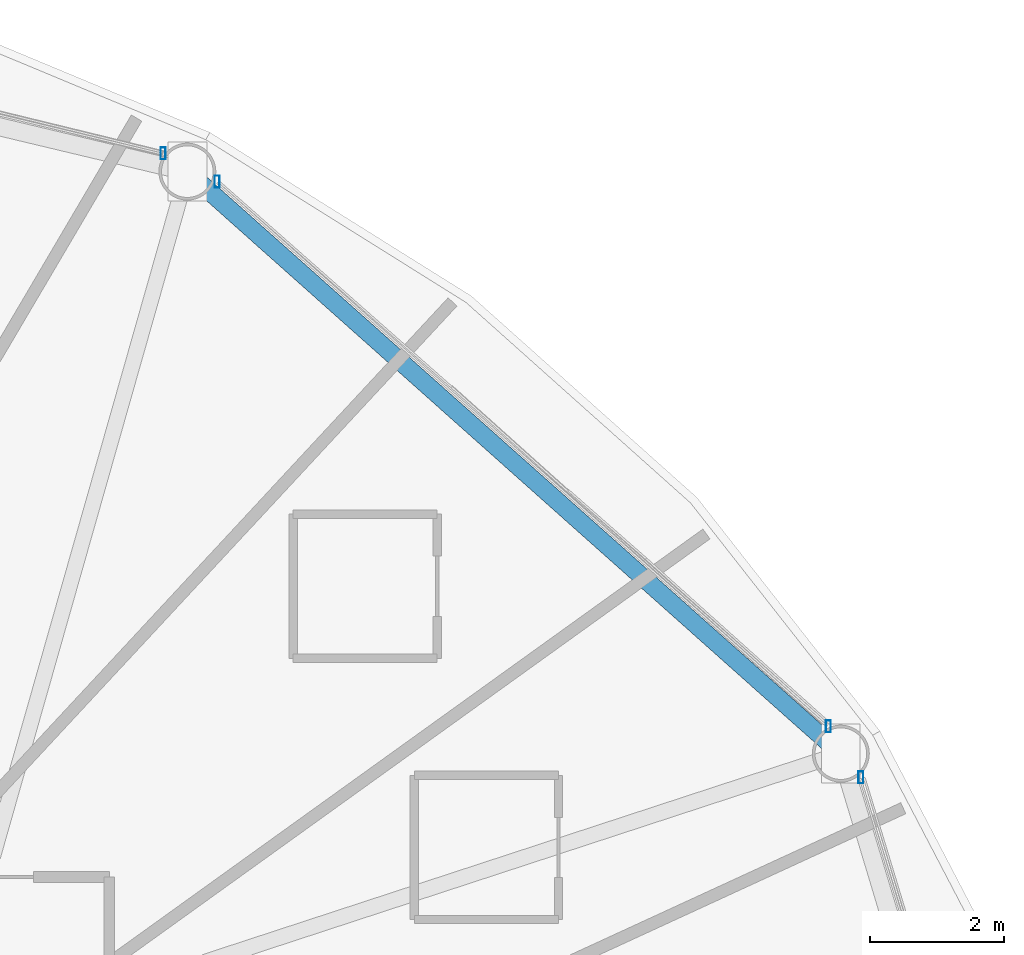
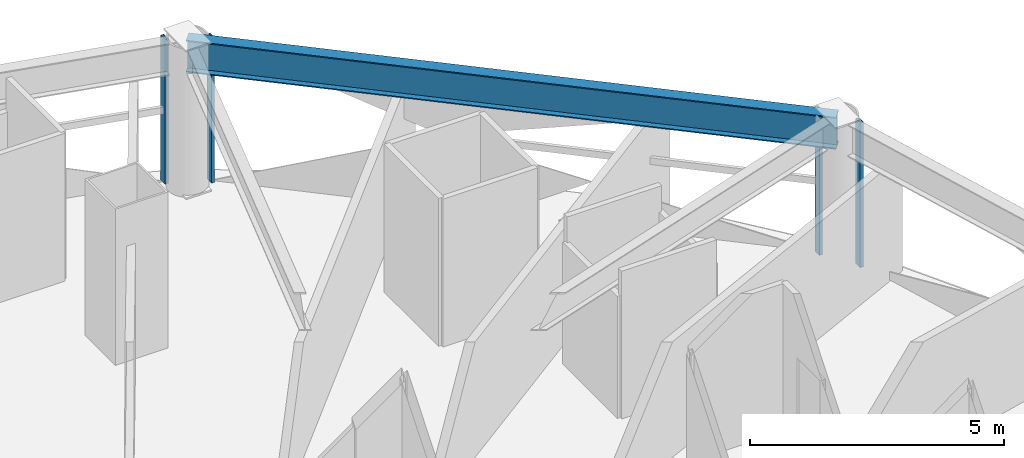
# One storey, part 21 of 32: 4 members, 1 beam, 3 elements without a shape of their own.
"""IFC4 building model written with IfcOpenShell, lengths in metres."""

from ifc_helpers import new_model, si_unit, direction, frame, origin, origin_2d, place, context, subcontext, project, spatial, hollow_rectangle, i_section, extrude, material, layer, layer_set, material_profile, profile_set, type_object, element, aggregate, save


model = new_model("IFC4")

# Units and contexts
model_context = context("Model", 3, precision=1e-05, world=origin(), true_north=direction((0.0, 1.0)))
body_context = subcontext(model_context, "Body", "Model", "MODEL_VIEW")
ifc_project = project(units=[si_unit("LENGTHUNIT", "METRE"), si_unit("AREAUNIT", "SQUARE_METRE"), si_unit("VOLUMEUNIT", "CUBIC_METRE"), si_unit("PLANEANGLEUNIT", "RADIAN"), si_unit("MASSUNIT", "GRAM", prefix="KILO")], contexts=[model_context])

# Site, building, storey
site_placement = place(None, origin())
site = spatial("IfcSite", under=ifc_project, at=site_placement, CompositionType="ELEMENT")
building_placement = place(site_placement, origin())
building = spatial("IfcBuilding", under=site, at=building_placement, Name="Vantalir Tower", CompositionType="ELEMENT")
storey_placement = place(building_placement, frame((0.0, 0.0, 45.75)))
storey = spatial("IfcBuildingStorey", under=building, at=storey_placement, Name="L10", CompositionType="ELEMENT", Elevation=45.75)

# Beam
ifc_material_1 = material(Name="Steel S460", Category="steel")
ifc_material_profile_1 = material_profile(ifc_material_1, i_section(OverallWidth=0.26806640625, OverallDepth=0.77001953125, WebThickness=0.015625, FlangeThickness=0.025390625, at=origin_2d()), Name="Steel S460")
ifc_profile_set_1 = profile_set([ifc_material_profile_1], Name="Steel S460")
beam_type = type_object("IfcBeamType", Name="BM-RG-762x267", PredefinedType="USERDEFINED", material=ifc_profile_set_1)
beam_placement = place(storey_placement, frame((54.570068359375, 36.863037109375, 3.18505859375), z_axis=(-0.746746630555, 0.665108615005, 0.0), x_axis=(-0.665108615005, -0.746746630555, 0.0)))
element("IfcBeam", 1, at=beam_placement, inside=storey, type_object=beam_type, Name="L10 Circumferential Ring Girder 02", ObjectType="GIRDER", PredefinedType="USERDEFINED", context=body_context, shape_type="SweptSolid", body=[
    extrude(i_section(OverallWidth=0.26806640625, OverallDepth=0.77001953125, WebThickness=0.015625, FlangeThickness=0.025390625, at=origin_2d()), origin(), (0.0, 0.0, 1.0), 13.056640625),
])

# Curtain wall, member
ifc_material_2 = material(Name="Champagne-silver PVDF aluminium and double-silver Low-E glass", Category="aluminium")
ifc_layer = layer(ifc_material_2, 0.18994140625)
ifc_layer_set = layer_set([ifc_layer], Name="Champagne-silver PVDF aluminium and double-silver Low-E glass")
curtain_wall_type = type_object("IfcCurtainWallType", Name="CW-DIAMOND-Z1", PredefinedType="USERDEFINED", material=ifc_layer_set)
curtain_wall_1_placement = place(storey_placement, origin())
curtain_wall_1 = element("IfcCurtainWall", 2, at=curtain_wall_1_placement, inside=storey, type_object=curtain_wall_type, Name="L10 Quilted Pyramid-Diamond Curtain Wall S01", ObjectType="UNITISED CURTAIN WALL", PredefinedType="USERDEFINED")
ifc_material_3 = material(Name="Champagne-silver PVDF aluminium 6063-T6", Category="aluminium")
ifc_material_profile_2 = material_profile(ifc_material_3, hollow_rectangle(XDim=0.074951171875, YDim=0.179931640625, WallThickness=0.00390625, at=origin_2d()), Name="Champagne-silver PVDF aluminium 6063-T6")
ifc_profile_set_2 = profile_set([ifc_material_profile_2], Name="Champagne-silver PVDF aluminium 6063-T6")
member_type = type_object("IfcMemberType", Name="CWM-180x75", PredefinedType="MULLION", material=ifc_profile_set_2)
member_1_placement = place(storey_placement, frame((54.8701171875, 36.508056640625, 0.044921875), z_axis=(0.0, 0.0, 1.0), x_axis=(1.0, 0.0, 0.0)))
member_1 = element("IfcMember", 3, at=member_1_placement, type_object=member_type, Name="CW-L10-S01 Mullion 2", PredefinedType="MULLION", context=body_context, shape_type="SweptSolid", body=[
    extrude(hollow_rectangle(XDim=0.074951171875, YDim=0.179931640625, WallThickness=0.00390625, at=origin_2d()), origin(), (0.0, 0.0, 1.0), 3.47998046875),
])
aggregate(curtain_wall_1, [member_1])

# Curtain wall, members
curtain_wall_2_placement = place(storey_placement, origin())
curtain_wall_2 = element("IfcCurtainWall", 4, at=curtain_wall_2_placement, inside=storey, type_object=curtain_wall_type, Name="L10 Quilted Pyramid-Diamond Curtain Wall S02", ObjectType="UNITISED CURTAIN WALL", PredefinedType="USERDEFINED")
member_2_placement = place(storey_placement, frame((54.384033203125, 37.27099609375, 0.044921875), z_axis=(0.0, 0.0, 1.0), x_axis=(1.0, 0.0, 0.0)))
member_2 = element("IfcMember", 5, at=member_2_placement, type_object=member_type, Name="CW-L10-S02 Mullion 1", PredefinedType="MULLION", context=body_context, shape_type="SweptSolid", body=[
    extrude(hollow_rectangle(XDim=0.074951171875, YDim=0.179931640625, WallThickness=0.00390625, at=origin_2d()), origin(), (0.0, 0.0, 1.0), 3.47998046875),
])
member_3_placement = place(storey_placement, frame((45.26611328125, 45.39892578125, 0.044921875), z_axis=(0.0, 0.0, 1.0), x_axis=(1.0, 0.0, 0.0)))
member_3 = element("IfcMember", 6, at=member_3_placement, type_object=member_type, Name="CW-L10-S02 Mullion 2", PredefinedType="MULLION", context=body_context, shape_type="SweptSolid", body=[
    extrude(hollow_rectangle(XDim=0.074951171875, YDim=0.179931640625, WallThickness=0.00390625, at=origin_2d()), origin(), (0.0, 0.0, 1.0), 3.47998046875),
])
aggregate(curtain_wall_2, [member_2, member_3])

# Curtain wall, member
curtain_wall_3_placement = place(storey_placement, origin())
curtain_wall_3 = element("IfcCurtainWall", 7, at=curtain_wall_3_placement, inside=storey, type_object=curtain_wall_type, Name="L10 Quilted Pyramid-Diamond Curtain Wall S03", ObjectType="UNITISED CURTAIN WALL", PredefinedType="USERDEFINED")
member_4_placement = place(storey_placement, frame((44.4580078125, 45.821044921875, 0.044921875), z_axis=(0.0, 0.0, 1.0), x_axis=(1.0, 0.0, 0.0)))
member_4 = element("IfcMember", 8, at=member_4_placement, type_object=member_type, Name="CW-L10-S03 Mullion 1", PredefinedType="MULLION", context=body_context, shape_type="SweptSolid", body=[
    extrude(hollow_rectangle(XDim=0.074951171875, YDim=0.179931640625, WallThickness=0.00390625, at=origin_2d()), origin(), (0.0, 0.0, 1.0), 3.47998046875),
])
aggregate(curtain_wall_3, [member_4])

save(model, "model.ifc")
